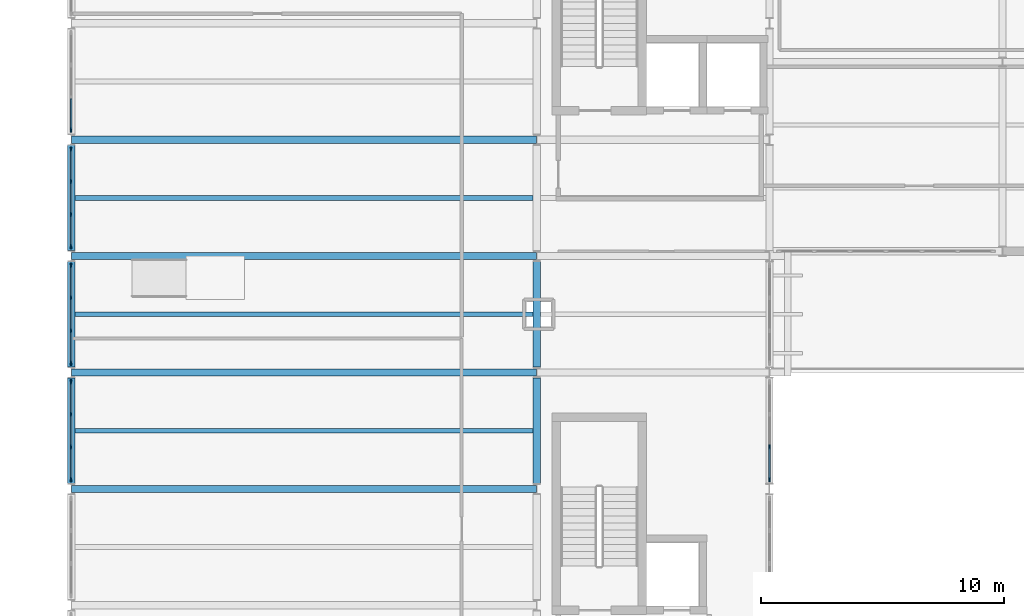
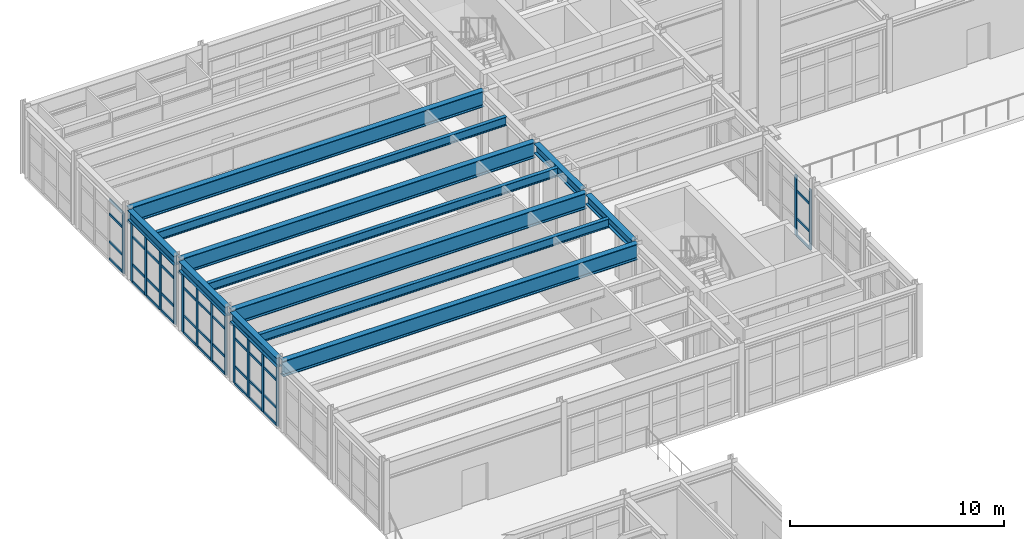
# One storey, part 18 of 47: 58 members, 12 beams, 5 elements without a shape of their own.
"""IFC4 building model written with IfcOpenShell, lengths in metres."""

from ifc_helpers import new_model, si_unit, direction, frame, origin, origin_2d, place, context, subcontext, project, spatial, rectangle, i_section, extrude, material, layer, layer_set, material_profile, profile_set, type_object, element, aggregate, save


model = new_model("IFC4")

# Units and contexts
model_context = context("Model", 3, precision=1e-05, world=origin(), true_north=direction((0.0, 1.0)))
body_context = subcontext(model_context, "Body", "Model", "MODEL_VIEW")
ifc_project = project(units=[si_unit("LENGTHUNIT", "METRE"), si_unit("AREAUNIT", "SQUARE_METRE"), si_unit("VOLUMEUNIT", "CUBIC_METRE"), si_unit("PLANEANGLEUNIT", "RADIAN"), si_unit("MASSUNIT", "GRAM", prefix="KILO")], contexts=[model_context])

# Site, building, storey
site_placement = place(None, origin())
site = spatial("IfcSite", under=ifc_project, at=site_placement, CompositionType="ELEMENT")
building_placement = place(site_placement, origin())
building = spatial("IfcBuilding", under=site, at=building_placement, Name="Nordkorset Police Headquarters", CompositionType="ELEMENT")
storey_placement = place(building_placement, frame((0.0, 0.0, 22.050048828125)))
storey = spatial("IfcBuildingStorey", under=building, at=storey_placement, Name="L05", CompositionType="ELEMENT", Elevation=22.050048828125)

# Beams
ifc_material_1 = material(Name="Steel S355J2", Category="steel")
ifc_material_profile_1 = material_profile(ifc_material_1, i_section(OverallWidth=0.199951171875, OverallDepth=0.5, WebThickness=0.01025390625, FlangeThickness=0.01611328125, FilletRadius=0.02099609375, at=origin_2d()), Name="IPE 500")
ifc_profile_set_1 = profile_set([ifc_material_profile_1], Name="Steel S355J2")
beam_type_1 = type_object("IfcBeamType", Name="Beam_IPE_500", PredefinedType="BEAM", material=ifc_profile_set_1)
for number, where, z_axis, x_axis, name in (
    (1, (0.14990234375, 95.199951171875, 3.75), (1.0, 0.0, 0.0), (0.0, 1.0, 0.0), "Composite Floor Beam V1 L05 0-2-1"),
    (2, (0.14990234375, 100.0, 3.75), (1.0, 0.0, 0.0), (0.0, 1.0, 0.0), "Composite Floor Beam V1 L05 0-3-1"),
    (3, (0.14990234375, 104.800048828125, 3.75), (1.0, 0.0, 0.0), (0.0, 1.0, 0.0), "Composite Floor Beam V1 L05 0-4-1"),
):
    element("IfcBeam", number, at=place(storey_placement, frame(where, z_axis=z_axis, x_axis=x_axis)), inside=storey, type_object=beam_type_1, Name=name, PredefinedType="BEAM", context=body_context, shape_type="SweptSolid", body=[
        extrude(i_section(OverallWidth=0.199951171875, OverallDepth=0.5, WebThickness=0.01025390625, FlangeThickness=0.01611328125, FilletRadius=0.02099609375, at=origin_2d()), origin(), (0.0, 0.0, 1.0), 18.900146484375),
    ])

# Curtain wall, members
ifc_material_2 = material(Name="Aluminium alloy AW-6060", Category="aluminium")
ifc_layer = layer(ifc_material_2, 0.179931640625, Name="Aluminium alloy AW-6060")
ifc_layer_set = layer_set([ifc_layer], Name="Aluminium alloy AW-6060")
curtain_wall_type = type_object("IfcCurtainWallType", Name="CW_Unit_408x344", PredefinedType="USERDEFINED", material=ifc_layer_set)
curtain_wall_1_placement = place(storey_placement, origin())
curtain_wall_1 = element("IfcCurtainWall", 4, at=curtain_wall_1_placement, inside=storey, type_object=curtain_wall_type, Name="Unitised Curtain Wall L05 V1W-2", ObjectType="UNITISED CURTAIN WALL", PredefinedType="USERDEFINED")
ifc_material_3 = material(Name="Aluminium alloy AW-6060", Category="aluminium")
ifc_material_profile_2 = material_profile(ifc_material_3, rectangle(XDim=0.06494140625, YDim=0.179931640625, at=origin_2d()), Name="ALU MULL 65x180")
ifc_profile_set_2 = profile_set([ifc_material_profile_2], Name="Aluminium alloy AW-6060")
member_type_1 = type_object("IfcMemberType", Name="CW_Mullion_65x180", PredefinedType="MULLION", material=ifc_profile_set_2)
member_1_placement = place(storey_placement, frame((0.0, 93.1923828125, 0.0), z_axis=(0.0, 0.0, 1.0), x_axis=(-1.0, 0.0, 0.0)))
member_1 = element("IfcMember", 5, at=member_1_placement, type_object=member_type_1, Name="CW-29 mullion 1", PredefinedType="MULLION", context=body_context, shape_type="SweptSolid", body=[
    extrude(rectangle(XDim=0.06494140625, YDim=0.179931640625, at=origin_2d()), origin(), (0.0, 0.0, 1.0), 3.43994140625),
])
member_2_placement = place(storey_placement, frame((0.0, 94.52001953125, 0.0), z_axis=(0.0, 0.0, 1.0), x_axis=(-1.0, 0.0, 0.0)))
member_2 = element("IfcMember", 6, at=member_2_placement, type_object=member_type_1, Name="CW-29 mullion 2", PredefinedType="MULLION", context=body_context, shape_type="SweptSolid", body=[
    extrude(rectangle(XDim=0.06494140625, YDim=0.179931640625, at=origin_2d()), origin(), (0.0, 0.0, 1.0), 3.43994140625),
])
member_3_placement = place(storey_placement, frame((0.0, 95.8798828125, 0.0), z_axis=(0.0, 0.0, 1.0), x_axis=(-1.0, 0.0, 0.0)))
member_3 = element("IfcMember", 7, at=member_3_placement, type_object=member_type_1, Name="CW-29 mullion 3", PredefinedType="MULLION", context=body_context, shape_type="SweptSolid", body=[
    extrude(rectangle(XDim=0.06494140625, YDim=0.179931640625, at=origin_2d()), origin(), (0.0, 0.0, 1.0), 3.43994140625),
])
member_4_placement = place(storey_placement, frame((0.0, 97.20751953125, 0.0), z_axis=(0.0, 0.0, 1.0), x_axis=(-1.0, 0.0, 0.0)))
member_4 = element("IfcMember", 8, at=member_4_placement, type_object=member_type_1, Name="CW-29 mullion 4", PredefinedType="MULLION", context=body_context, shape_type="SweptSolid", body=[
    extrude(rectangle(XDim=0.06494140625, YDim=0.179931640625, at=origin_2d()), origin(), (0.0, 0.0, 1.0), 3.43994140625),
])

curtain_wall_2_placement = place(storey_placement, origin())
curtain_wall_2 = element("IfcCurtainWall", 9, at=curtain_wall_2_placement, inside=storey, type_object=curtain_wall_type, Name="Unitised Curtain Wall L05 V1W-3", ObjectType="UNITISED CURTAIN WALL", PredefinedType="USERDEFINED")
member_5_placement = place(storey_placement, frame((0.0, 97.992431640625, 0.0), z_axis=(0.0, 0.0, 1.0), x_axis=(-1.0, 0.0, 0.0)))
member_5 = element("IfcMember", 10, at=member_5_placement, type_object=member_type_1, Name="CW-29 mullion 1", PredefinedType="MULLION", context=body_context, shape_type="SweptSolid", body=[
    extrude(rectangle(XDim=0.06494140625, YDim=0.179931640625, at=origin_2d()), origin(), (0.0, 0.0, 1.0), 3.43994140625),
])
member_6_placement = place(storey_placement, frame((0.0, 99.320068359375, 0.0), z_axis=(0.0, 0.0, 1.0), x_axis=(-1.0, 0.0, 0.0)))
member_6 = element("IfcMember", 11, at=member_6_placement, type_object=member_type_1, Name="CW-29 mullion 2", PredefinedType="MULLION", context=body_context, shape_type="SweptSolid", body=[
    extrude(rectangle(XDim=0.06494140625, YDim=0.179931640625, at=origin_2d()), origin(), (0.0, 0.0, 1.0), 3.43994140625),
])
member_7_placement = place(storey_placement, frame((0.0, 100.679931640625, 0.0), z_axis=(0.0, 0.0, 1.0), x_axis=(-1.0, 0.0, 0.0)))
member_7 = element("IfcMember", 12, at=member_7_placement, type_object=member_type_1, Name="CW-29 mullion 3", PredefinedType="MULLION", context=body_context, shape_type="SweptSolid", body=[
    extrude(rectangle(XDim=0.06494140625, YDim=0.179931640625, at=origin_2d()), origin(), (0.0, 0.0, 1.0), 3.43994140625),
])
member_8_placement = place(storey_placement, frame((0.0, 102.007568359375, 0.0), z_axis=(0.0, 0.0, 1.0), x_axis=(-1.0, 0.0, 0.0)))
member_8 = element("IfcMember", 13, at=member_8_placement, type_object=member_type_1, Name="CW-29 mullion 4", PredefinedType="MULLION", context=body_context, shape_type="SweptSolid", body=[
    extrude(rectangle(XDim=0.06494140625, YDim=0.179931640625, at=origin_2d()), origin(), (0.0, 0.0, 1.0), 3.43994140625),
])

curtain_wall_3_placement = place(storey_placement, origin())
curtain_wall_3 = element("IfcCurtainWall", 14, at=curtain_wall_3_placement, inside=storey, type_object=curtain_wall_type, Name="Unitised Curtain Wall L05 V1W-4", ObjectType="UNITISED CURTAIN WALL", PredefinedType="USERDEFINED")
member_9_placement = place(storey_placement, frame((0.0, 102.79248046875, 0.0), z_axis=(0.0, 0.0, 1.0), x_axis=(-1.0, 0.0, 0.0)))
member_9 = element("IfcMember", 15, at=member_9_placement, type_object=member_type_1, Name="CW-29 mullion 1", PredefinedType="MULLION", context=body_context, shape_type="SweptSolid", body=[
    extrude(rectangle(XDim=0.06494140625, YDim=0.179931640625, at=origin_2d()), origin(), (0.0, 0.0, 1.0), 3.43994140625),
])
member_10_placement = place(storey_placement, frame((0.0, 104.1201171875, 0.0), z_axis=(0.0, 0.0, 1.0), x_axis=(-1.0, 0.0, 0.0)))
member_10 = element("IfcMember", 16, at=member_10_placement, type_object=member_type_1, Name="CW-29 mullion 2", PredefinedType="MULLION", context=body_context, shape_type="SweptSolid", body=[
    extrude(rectangle(XDim=0.06494140625, YDim=0.179931640625, at=origin_2d()), origin(), (0.0, 0.0, 1.0), 3.43994140625),
])
member_11_placement = place(storey_placement, frame((0.0, 105.47998046875, 0.0), z_axis=(0.0, 0.0, 1.0), x_axis=(-1.0, 0.0, 0.0)))
member_11 = element("IfcMember", 17, at=member_11_placement, type_object=member_type_1, Name="CW-29 mullion 3", PredefinedType="MULLION", context=body_context, shape_type="SweptSolid", body=[
    extrude(rectangle(XDim=0.06494140625, YDim=0.179931640625, at=origin_2d()), origin(), (0.0, 0.0, 1.0), 3.43994140625),
])
member_12_placement = place(storey_placement, frame((0.0, 106.8076171875, 0.0), z_axis=(0.0, 0.0, 1.0), x_axis=(-1.0, 0.0, 0.0)))
member_12 = element("IfcMember", 18, at=member_12_placement, type_object=member_type_1, Name="CW-29 mullion 4", PredefinedType="MULLION", context=body_context, shape_type="SweptSolid", body=[
    extrude(rectangle(XDim=0.06494140625, YDim=0.179931640625, at=origin_2d()), origin(), (0.0, 0.0, 1.0), 3.43994140625),
])

# Curtain wall, member
curtain_wall_4_placement = place(storey_placement, origin())
curtain_wall_4 = element("IfcCurtainWall", 19, at=curtain_wall_4_placement, inside=storey, type_object=curtain_wall_type, Name="Unitised Curtain Wall L05 V1W-5", ObjectType="UNITISED CURTAIN WALL", PredefinedType="USERDEFINED")
member_13_placement = place(storey_placement, frame((0.0, 107.592529296875, 0.0), z_axis=(0.0, 0.0, 1.0), x_axis=(-1.0, 0.0, 0.0)))
member_13 = element("IfcMember", 20, at=member_13_placement, type_object=member_type_1, Name="CW-29 mullion 1", PredefinedType="MULLION", context=body_context, shape_type="SweptSolid", body=[
    extrude(rectangle(XDim=0.06494140625, YDim=0.179931640625, at=origin_2d()), origin(), (0.0, 0.0, 1.0), 3.43994140625),
])

# Curtain wall, members
curtain_wall_5_placement = place(storey_placement, origin())
curtain_wall_5 = element("IfcCurtainWall", 21, at=curtain_wall_5_placement, inside=storey, type_object=curtain_wall_type, Name="Unitised Curtain Wall L05 V1E-2", ObjectType="UNITISED CURTAIN WALL", PredefinedType="USERDEFINED")
member_14_placement = place(storey_placement, frame((28.800048828125, 93.1923828125, 0.0), z_axis=(0.0, 0.0, 1.0), x_axis=(-1.0, 0.0, 0.0)))
member_14 = element("IfcMember", 22, at=member_14_placement, type_object=member_type_1, Name="CW-29 mullion 1", PredefinedType="MULLION", context=body_context, shape_type="SweptSolid", body=[
    extrude(rectangle(XDim=0.06494140625, YDim=0.179931640625, at=origin_2d()), origin(), (0.0, 0.0, 1.0), 3.43994140625),
])
member_15_placement = place(storey_placement, frame((28.800048828125, 94.52001953125, 0.0), z_axis=(0.0, 0.0, 1.0), x_axis=(-1.0, 0.0, 0.0)))
member_15 = element("IfcMember", 23, at=member_15_placement, type_object=member_type_1, Name="CW-29 mullion 2", PredefinedType="MULLION", context=body_context, shape_type="SweptSolid", body=[
    extrude(rectangle(XDim=0.06494140625, YDim=0.179931640625, at=origin_2d()), origin(), (0.0, 0.0, 1.0), 3.43994140625),
])

# Member
ifc_material_4 = material(Name="Aluminium alloy AW-6060", Category="aluminium")
ifc_material_profile_3 = material_profile(ifc_material_4, rectangle(XDim=0.06494140625, YDim=0.139892578125, at=origin_2d()), Name="ALU TRAN 65x140")
ifc_profile_set_3 = profile_set([ifc_material_profile_3], Name="Aluminium alloy AW-6060")
member_type_2 = type_object("IfcMemberType", Name="CW_Transom_65x140", PredefinedType="USERDEFINED", material=ifc_profile_set_3)
member_16_placement = place(storey_placement, frame((0.0, 93.22509765625, 0.032470703125), z_axis=(0.0, 1.0, 0.0), x_axis=(-1.0, 0.0, 0.0)))
member_16 = element("IfcMember", 24, at=member_16_placement, type_object=member_type_2, Name="CW-29 transom 1.1", ObjectType="TRANSOM", PredefinedType="USERDEFINED", context=body_context, shape_type="SweptSolid", body=[
    extrude(rectangle(XDim=0.06494140625, YDim=0.139892578125, at=origin_2d()), origin(), (0.0, 0.0, 1.0), 1.262451171875),
])

member_17_placement = place(storey_placement, frame((0.0, 93.22509765625, 1.0), z_axis=(0.0, 1.0, 0.0), x_axis=(-1.0, 0.0, 0.0)))
member_17 = element("IfcMember", 25, at=member_17_placement, type_object=member_type_2, Name="CW-29 transom 1.2", ObjectType="TRANSOM", PredefinedType="USERDEFINED", context=body_context, shape_type="SweptSolid", body=[
    extrude(rectangle(XDim=0.06494140625, YDim=0.139892578125, at=origin_2d()), origin(), (0.0, 0.0, 1.0), 1.262451171875),
])

member_18_placement = place(storey_placement, frame((0.0, 93.22509765625, 2.58984375), z_axis=(0.0, 1.0, 0.0), x_axis=(-1.0, 0.0, 0.0)))
member_18 = element("IfcMember", 26, at=member_18_placement, type_object=member_type_2, Name="CW-29 transom 1.3", ObjectType="TRANSOM", PredefinedType="USERDEFINED", context=body_context, shape_type="SweptSolid", body=[
    extrude(rectangle(XDim=0.06494140625, YDim=0.139892578125, at=origin_2d()), origin(), (0.0, 0.0, 1.0), 1.262451171875),
])

member_19_placement = place(storey_placement, frame((0.0, 93.22509765625, 3.407470703125), z_axis=(0.0, 1.0, 0.0), x_axis=(-1.0, 0.0, 0.0)))
member_19 = element("IfcMember", 27, at=member_19_placement, type_object=member_type_2, Name="CW-29 transom 1.4", ObjectType="TRANSOM", PredefinedType="USERDEFINED", context=body_context, shape_type="SweptSolid", body=[
    extrude(rectangle(XDim=0.06494140625, YDim=0.139892578125, at=origin_2d()), origin(), (0.0, 0.0, 1.0), 1.262451171875),
])

member_20_placement = place(storey_placement, frame((0.0, 94.552490234375, 0.032470703125), z_axis=(0.0, 1.0, 0.0), x_axis=(-1.0, 0.0, 0.0)))
member_20 = element("IfcMember", 28, at=member_20_placement, type_object=member_type_2, Name="CW-29 transom 2.1", ObjectType="TRANSOM", PredefinedType="USERDEFINED", context=body_context, shape_type="SweptSolid", body=[
    extrude(rectangle(XDim=0.06494140625, YDim=0.139892578125, at=origin_2d()), origin(), (0.0, 0.0, 1.0), 1.294921875),
])

member_21_placement = place(storey_placement, frame((0.0, 94.552490234375, 1.0), z_axis=(0.0, 1.0, 0.0), x_axis=(-1.0, 0.0, 0.0)))
member_21 = element("IfcMember", 29, at=member_21_placement, type_object=member_type_2, Name="CW-29 transom 2.2", ObjectType="TRANSOM", PredefinedType="USERDEFINED", context=body_context, shape_type="SweptSolid", body=[
    extrude(rectangle(XDim=0.06494140625, YDim=0.139892578125, at=origin_2d()), origin(), (0.0, 0.0, 1.0), 1.294921875),
])

member_22_placement = place(storey_placement, frame((0.0, 94.552490234375, 2.58984375), z_axis=(0.0, 1.0, 0.0), x_axis=(-1.0, 0.0, 0.0)))
member_22 = element("IfcMember", 30, at=member_22_placement, type_object=member_type_2, Name="CW-29 transom 2.3", ObjectType="TRANSOM", PredefinedType="USERDEFINED", context=body_context, shape_type="SweptSolid", body=[
    extrude(rectangle(XDim=0.06494140625, YDim=0.139892578125, at=origin_2d()), origin(), (0.0, 0.0, 1.0), 1.294921875),
])

member_23_placement = place(storey_placement, frame((0.0, 94.552490234375, 3.407470703125), z_axis=(0.0, 1.0, 0.0), x_axis=(-1.0, 0.0, 0.0)))
member_23 = element("IfcMember", 31, at=member_23_placement, type_object=member_type_2, Name="CW-29 transom 2.4", ObjectType="TRANSOM", PredefinedType="USERDEFINED", context=body_context, shape_type="SweptSolid", body=[
    extrude(rectangle(XDim=0.06494140625, YDim=0.139892578125, at=origin_2d()), origin(), (0.0, 0.0, 1.0), 1.294921875),
])

member_24_placement = place(storey_placement, frame((0.0, 95.91259765625, 0.032470703125), z_axis=(0.0, 1.0, 0.0), x_axis=(-1.0, 0.0, 0.0)))
member_24 = element("IfcMember", 32, at=member_24_placement, type_object=member_type_2, Name="CW-29 transom 3.1", ObjectType="TRANSOM", PredefinedType="USERDEFINED", context=body_context, shape_type="SweptSolid", body=[
    extrude(rectangle(XDim=0.06494140625, YDim=0.139892578125, at=origin_2d()), origin(), (0.0, 0.0, 1.0), 1.262451171875),
])

member_25_placement = place(storey_placement, frame((0.0, 95.91259765625, 1.0), z_axis=(0.0, 1.0, 0.0), x_axis=(-1.0, 0.0, 0.0)))
member_25 = element("IfcMember", 33, at=member_25_placement, type_object=member_type_2, Name="CW-29 transom 3.2", ObjectType="TRANSOM", PredefinedType="USERDEFINED", context=body_context, shape_type="SweptSolid", body=[
    extrude(rectangle(XDim=0.06494140625, YDim=0.139892578125, at=origin_2d()), origin(), (0.0, 0.0, 1.0), 1.262451171875),
])

member_26_placement = place(storey_placement, frame((0.0, 95.91259765625, 2.58984375), z_axis=(0.0, 1.0, 0.0), x_axis=(-1.0, 0.0, 0.0)))
member_26 = element("IfcMember", 34, at=member_26_placement, type_object=member_type_2, Name="CW-29 transom 3.3", ObjectType="TRANSOM", PredefinedType="USERDEFINED", context=body_context, shape_type="SweptSolid", body=[
    extrude(rectangle(XDim=0.06494140625, YDim=0.139892578125, at=origin_2d()), origin(), (0.0, 0.0, 1.0), 1.262451171875),
])

member_27_placement = place(storey_placement, frame((0.0, 95.91259765625, 3.407470703125), z_axis=(0.0, 1.0, 0.0), x_axis=(-1.0, 0.0, 0.0)))
member_27 = element("IfcMember", 35, at=member_27_placement, type_object=member_type_2, Name="CW-29 transom 3.4", ObjectType="TRANSOM", PredefinedType="USERDEFINED", context=body_context, shape_type="SweptSolid", body=[
    extrude(rectangle(XDim=0.06494140625, YDim=0.139892578125, at=origin_2d()), origin(), (0.0, 0.0, 1.0), 1.262451171875),
])

aggregate(curtain_wall_1, [member_1, member_2, member_3, member_4, member_16, member_17, member_18, member_19, member_20, member_21, member_22, member_23, member_24, member_25, member_26, member_27])

member_28_placement = place(storey_placement, frame((0.0, 98.02490234375, 0.032470703125), z_axis=(0.0, 1.0, 0.0), x_axis=(-1.0, 0.0, 0.0)))
member_28 = element("IfcMember", 36, at=member_28_placement, type_object=member_type_2, Name="CW-29 transom 1.1", ObjectType="TRANSOM", PredefinedType="USERDEFINED", context=body_context, shape_type="SweptSolid", body=[
    extrude(rectangle(XDim=0.06494140625, YDim=0.139892578125, at=origin_2d()), origin(), (0.0, 0.0, 1.0), 1.2626953125),
])

member_29_placement = place(storey_placement, frame((0.0, 98.02490234375, 1.0), z_axis=(0.0, 1.0, 0.0), x_axis=(-1.0, 0.0, 0.0)))
member_29 = element("IfcMember", 37, at=member_29_placement, type_object=member_type_2, Name="CW-29 transom 1.2", ObjectType="TRANSOM", PredefinedType="USERDEFINED", context=body_context, shape_type="SweptSolid", body=[
    extrude(rectangle(XDim=0.06494140625, YDim=0.139892578125, at=origin_2d()), origin(), (0.0, 0.0, 1.0), 1.2626953125),
])

member_30_placement = place(storey_placement, frame((0.0, 98.02490234375, 2.58984375), z_axis=(0.0, 1.0, 0.0), x_axis=(-1.0, 0.0, 0.0)))
member_30 = element("IfcMember", 38, at=member_30_placement, type_object=member_type_2, Name="CW-29 transom 1.3", ObjectType="TRANSOM", PredefinedType="USERDEFINED", context=body_context, shape_type="SweptSolid", body=[
    extrude(rectangle(XDim=0.06494140625, YDim=0.139892578125, at=origin_2d()), origin(), (0.0, 0.0, 1.0), 1.2626953125),
])

member_31_placement = place(storey_placement, frame((0.0, 98.02490234375, 3.407470703125), z_axis=(0.0, 1.0, 0.0), x_axis=(-1.0, 0.0, 0.0)))
member_31 = element("IfcMember", 39, at=member_31_placement, type_object=member_type_2, Name="CW-29 transom 1.4", ObjectType="TRANSOM", PredefinedType="USERDEFINED", context=body_context, shape_type="SweptSolid", body=[
    extrude(rectangle(XDim=0.06494140625, YDim=0.139892578125, at=origin_2d()), origin(), (0.0, 0.0, 1.0), 1.2626953125),
])

member_32_placement = place(storey_placement, frame((0.0, 99.3525390625, 0.032470703125), z_axis=(0.0, 1.0, 0.0), x_axis=(-1.0, 0.0, 0.0)))
member_32 = element("IfcMember", 40, at=member_32_placement, type_object=member_type_2, Name="CW-29 transom 2.1", ObjectType="TRANSOM", PredefinedType="USERDEFINED", context=body_context, shape_type="SweptSolid", body=[
    extrude(rectangle(XDim=0.06494140625, YDim=0.139892578125, at=origin_2d()), origin(), (0.0, 0.0, 1.0), 1.294921875),
])

member_33_placement = place(storey_placement, frame((0.0, 99.3525390625, 1.0), z_axis=(0.0, 1.0, 0.0), x_axis=(-1.0, 0.0, 0.0)))
member_33 = element("IfcMember", 41, at=member_33_placement, type_object=member_type_2, Name="CW-29 transom 2.2", ObjectType="TRANSOM", PredefinedType="USERDEFINED", context=body_context, shape_type="SweptSolid", body=[
    extrude(rectangle(XDim=0.06494140625, YDim=0.139892578125, at=origin_2d()), origin(), (0.0, 0.0, 1.0), 1.294921875),
])

member_34_placement = place(storey_placement, frame((0.0, 99.3525390625, 2.58984375), z_axis=(0.0, 1.0, 0.0), x_axis=(-1.0, 0.0, 0.0)))
member_34 = element("IfcMember", 42, at=member_34_placement, type_object=member_type_2, Name="CW-29 transom 2.3", ObjectType="TRANSOM", PredefinedType="USERDEFINED", context=body_context, shape_type="SweptSolid", body=[
    extrude(rectangle(XDim=0.06494140625, YDim=0.139892578125, at=origin_2d()), origin(), (0.0, 0.0, 1.0), 1.294921875),
])

member_35_placement = place(storey_placement, frame((0.0, 99.3525390625, 3.407470703125), z_axis=(0.0, 1.0, 0.0), x_axis=(-1.0, 0.0, 0.0)))
member_35 = element("IfcMember", 43, at=member_35_placement, type_object=member_type_2, Name="CW-29 transom 2.4", ObjectType="TRANSOM", PredefinedType="USERDEFINED", context=body_context, shape_type="SweptSolid", body=[
    extrude(rectangle(XDim=0.06494140625, YDim=0.139892578125, at=origin_2d()), origin(), (0.0, 0.0, 1.0), 1.294921875),
])

member_36_placement = place(storey_placement, frame((0.0, 100.71240234375, 0.032470703125), z_axis=(0.0, 1.0, 0.0), x_axis=(-1.0, 0.0, 0.0)))
member_36 = element("IfcMember", 44, at=member_36_placement, type_object=member_type_2, Name="CW-29 transom 3.1", ObjectType="TRANSOM", PredefinedType="USERDEFINED", context=body_context, shape_type="SweptSolid", body=[
    extrude(rectangle(XDim=0.06494140625, YDim=0.139892578125, at=origin_2d()), origin(), (0.0, 0.0, 1.0), 1.2626953125),
])

member_37_placement = place(storey_placement, frame((0.0, 100.71240234375, 1.0), z_axis=(0.0, 1.0, 0.0), x_axis=(-1.0, 0.0, 0.0)))
member_37 = element("IfcMember", 45, at=member_37_placement, type_object=member_type_2, Name="CW-29 transom 3.2", ObjectType="TRANSOM", PredefinedType="USERDEFINED", context=body_context, shape_type="SweptSolid", body=[
    extrude(rectangle(XDim=0.06494140625, YDim=0.139892578125, at=origin_2d()), origin(), (0.0, 0.0, 1.0), 1.2626953125),
])

member_38_placement = place(storey_placement, frame((0.0, 100.71240234375, 2.58984375), z_axis=(0.0, 1.0, 0.0), x_axis=(-1.0, 0.0, 0.0)))
member_38 = element("IfcMember", 46, at=member_38_placement, type_object=member_type_2, Name="CW-29 transom 3.3", ObjectType="TRANSOM", PredefinedType="USERDEFINED", context=body_context, shape_type="SweptSolid", body=[
    extrude(rectangle(XDim=0.06494140625, YDim=0.139892578125, at=origin_2d()), origin(), (0.0, 0.0, 1.0), 1.2626953125),
])

member_39_placement = place(storey_placement, frame((0.0, 100.71240234375, 3.407470703125), z_axis=(0.0, 1.0, 0.0), x_axis=(-1.0, 0.0, 0.0)))
member_39 = element("IfcMember", 47, at=member_39_placement, type_object=member_type_2, Name="CW-29 transom 3.4", ObjectType="TRANSOM", PredefinedType="USERDEFINED", context=body_context, shape_type="SweptSolid", body=[
    extrude(rectangle(XDim=0.06494140625, YDim=0.139892578125, at=origin_2d()), origin(), (0.0, 0.0, 1.0), 1.2626953125),
])

aggregate(curtain_wall_2, [member_5, member_6, member_7, member_8, member_28, member_29, member_30, member_31, member_32, member_33, member_34, member_35, member_36, member_37, member_38, member_39])

member_40_placement = place(storey_placement, frame((0.0, 102.824951171875, 0.032470703125), z_axis=(0.0, 1.0, 0.0), x_axis=(-1.0, 0.0, 0.0)))
member_40 = element("IfcMember", 48, at=member_40_placement, type_object=member_type_2, Name="CW-29 transom 1.1", ObjectType="TRANSOM", PredefinedType="USERDEFINED", context=body_context, shape_type="SweptSolid", body=[
    extrude(rectangle(XDim=0.06494140625, YDim=0.139892578125, at=origin_2d()), origin(), (0.0, 0.0, 1.0), 1.262451171875),
])

member_41_placement = place(storey_placement, frame((0.0, 102.824951171875, 1.0), z_axis=(0.0, 1.0, 0.0), x_axis=(-1.0, 0.0, 0.0)))
member_41 = element("IfcMember", 49, at=member_41_placement, type_object=member_type_2, Name="CW-29 transom 1.2", ObjectType="TRANSOM", PredefinedType="USERDEFINED", context=body_context, shape_type="SweptSolid", body=[
    extrude(rectangle(XDim=0.06494140625, YDim=0.139892578125, at=origin_2d()), origin(), (0.0, 0.0, 1.0), 1.262451171875),
])

member_42_placement = place(storey_placement, frame((0.0, 102.824951171875, 2.58984375), z_axis=(0.0, 1.0, 0.0), x_axis=(-1.0, 0.0, 0.0)))
member_42 = element("IfcMember", 50, at=member_42_placement, type_object=member_type_2, Name="CW-29 transom 1.3", ObjectType="TRANSOM", PredefinedType="USERDEFINED", context=body_context, shape_type="SweptSolid", body=[
    extrude(rectangle(XDim=0.06494140625, YDim=0.139892578125, at=origin_2d()), origin(), (0.0, 0.0, 1.0), 1.262451171875),
])

member_43_placement = place(storey_placement, frame((0.0, 102.824951171875, 3.407470703125), z_axis=(0.0, 1.0, 0.0), x_axis=(-1.0, 0.0, 0.0)))
member_43 = element("IfcMember", 51, at=member_43_placement, type_object=member_type_2, Name="CW-29 transom 1.4", ObjectType="TRANSOM", PredefinedType="USERDEFINED", context=body_context, shape_type="SweptSolid", body=[
    extrude(rectangle(XDim=0.06494140625, YDim=0.139892578125, at=origin_2d()), origin(), (0.0, 0.0, 1.0), 1.262451171875),
])

member_44_placement = place(storey_placement, frame((0.0, 104.152587890625, 0.032470703125), z_axis=(0.0, 1.0, 0.0), x_axis=(-1.0, 0.0, 0.0)))
member_44 = element("IfcMember", 52, at=member_44_placement, type_object=member_type_2, Name="CW-29 transom 2.1", ObjectType="TRANSOM", PredefinedType="USERDEFINED", context=body_context, shape_type="SweptSolid", body=[
    extrude(rectangle(XDim=0.06494140625, YDim=0.139892578125, at=origin_2d()), origin(), (0.0, 0.0, 1.0), 1.294921875),
])

member_45_placement = place(storey_placement, frame((0.0, 104.152587890625, 1.0), z_axis=(0.0, 1.0, 0.0), x_axis=(-1.0, 0.0, 0.0)))
member_45 = element("IfcMember", 53, at=member_45_placement, type_object=member_type_2, Name="CW-29 transom 2.2", ObjectType="TRANSOM", PredefinedType="USERDEFINED", context=body_context, shape_type="SweptSolid", body=[
    extrude(rectangle(XDim=0.06494140625, YDim=0.139892578125, at=origin_2d()), origin(), (0.0, 0.0, 1.0), 1.294921875),
])

member_46_placement = place(storey_placement, frame((0.0, 104.152587890625, 2.58984375), z_axis=(0.0, 1.0, 0.0), x_axis=(-1.0, 0.0, 0.0)))
member_46 = element("IfcMember", 54, at=member_46_placement, type_object=member_type_2, Name="CW-29 transom 2.3", ObjectType="TRANSOM", PredefinedType="USERDEFINED", context=body_context, shape_type="SweptSolid", body=[
    extrude(rectangle(XDim=0.06494140625, YDim=0.139892578125, at=origin_2d()), origin(), (0.0, 0.0, 1.0), 1.294921875),
])

member_47_placement = place(storey_placement, frame((0.0, 104.152587890625, 3.407470703125), z_axis=(0.0, 1.0, 0.0), x_axis=(-1.0, 0.0, 0.0)))
member_47 = element("IfcMember", 55, at=member_47_placement, type_object=member_type_2, Name="CW-29 transom 2.4", ObjectType="TRANSOM", PredefinedType="USERDEFINED", context=body_context, shape_type="SweptSolid", body=[
    extrude(rectangle(XDim=0.06494140625, YDim=0.139892578125, at=origin_2d()), origin(), (0.0, 0.0, 1.0), 1.294921875),
])

member_48_placement = place(storey_placement, frame((0.0, 105.512451171875, 0.032470703125), z_axis=(0.0, 1.0, 0.0), x_axis=(-1.0, 0.0, 0.0)))
member_48 = element("IfcMember", 56, at=member_48_placement, type_object=member_type_2, Name="CW-29 transom 3.1", ObjectType="TRANSOM", PredefinedType="USERDEFINED", context=body_context, shape_type="SweptSolid", body=[
    extrude(rectangle(XDim=0.06494140625, YDim=0.139892578125, at=origin_2d()), origin(), (0.0, 0.0, 1.0), 1.262451171875),
])

member_49_placement = place(storey_placement, frame((0.0, 105.512451171875, 1.0), z_axis=(0.0, 1.0, 0.0), x_axis=(-1.0, 0.0, 0.0)))
member_49 = element("IfcMember", 57, at=member_49_placement, type_object=member_type_2, Name="CW-29 transom 3.2", ObjectType="TRANSOM", PredefinedType="USERDEFINED", context=body_context, shape_type="SweptSolid", body=[
    extrude(rectangle(XDim=0.06494140625, YDim=0.139892578125, at=origin_2d()), origin(), (0.0, 0.0, 1.0), 1.262451171875),
])

member_50_placement = place(storey_placement, frame((0.0, 105.512451171875, 2.58984375), z_axis=(0.0, 1.0, 0.0), x_axis=(-1.0, 0.0, 0.0)))
member_50 = element("IfcMember", 58, at=member_50_placement, type_object=member_type_2, Name="CW-29 transom 3.3", ObjectType="TRANSOM", PredefinedType="USERDEFINED", context=body_context, shape_type="SweptSolid", body=[
    extrude(rectangle(XDim=0.06494140625, YDim=0.139892578125, at=origin_2d()), origin(), (0.0, 0.0, 1.0), 1.262451171875),
])

member_51_placement = place(storey_placement, frame((0.0, 105.512451171875, 3.407470703125), z_axis=(0.0, 1.0, 0.0), x_axis=(-1.0, 0.0, 0.0)))
member_51 = element("IfcMember", 59, at=member_51_placement, type_object=member_type_2, Name="CW-29 transom 3.4", ObjectType="TRANSOM", PredefinedType="USERDEFINED", context=body_context, shape_type="SweptSolid", body=[
    extrude(rectangle(XDim=0.06494140625, YDim=0.139892578125, at=origin_2d()), origin(), (0.0, 0.0, 1.0), 1.262451171875),
])

aggregate(curtain_wall_3, [member_9, member_10, member_11, member_12, member_40, member_41, member_42, member_43, member_44, member_45, member_46, member_47, member_48, member_49, member_50, member_51])

member_52_placement = place(storey_placement, frame((0.0, 107.625, 0.032470703125), z_axis=(0.0, 1.0, 0.0), x_axis=(-1.0, 0.0, 0.0)))
member_52 = element("IfcMember", 60, at=member_52_placement, type_object=member_type_2, Name="CW-29 transom 1.1", ObjectType="TRANSOM", PredefinedType="USERDEFINED", context=body_context, shape_type="SweptSolid", body=[
    extrude(rectangle(XDim=0.06494140625, YDim=0.139892578125, at=origin_2d()), origin(), (0.0, 0.0, 1.0), 1.262451171875),
])

member_53_placement = place(storey_placement, frame((0.0, 107.625, 1.0), z_axis=(0.0, 1.0, 0.0), x_axis=(-1.0, 0.0, 0.0)))
member_53 = element("IfcMember", 61, at=member_53_placement, type_object=member_type_2, Name="CW-29 transom 1.2", ObjectType="TRANSOM", PredefinedType="USERDEFINED", context=body_context, shape_type="SweptSolid", body=[
    extrude(rectangle(XDim=0.06494140625, YDim=0.139892578125, at=origin_2d()), origin(), (0.0, 0.0, 1.0), 1.262451171875),
])

member_54_placement = place(storey_placement, frame((0.0, 107.625, 2.58984375), z_axis=(0.0, 1.0, 0.0), x_axis=(-1.0, 0.0, 0.0)))
member_54 = element("IfcMember", 62, at=member_54_placement, type_object=member_type_2, Name="CW-29 transom 1.3", ObjectType="TRANSOM", PredefinedType="USERDEFINED", context=body_context, shape_type="SweptSolid", body=[
    extrude(rectangle(XDim=0.06494140625, YDim=0.139892578125, at=origin_2d()), origin(), (0.0, 0.0, 1.0), 1.262451171875),
])

member_55_placement = place(storey_placement, frame((0.0, 107.625, 3.407470703125), z_axis=(0.0, 1.0, 0.0), x_axis=(-1.0, 0.0, 0.0)))
member_55 = element("IfcMember", 63, at=member_55_placement, type_object=member_type_2, Name="CW-29 transom 1.4", ObjectType="TRANSOM", PredefinedType="USERDEFINED", context=body_context, shape_type="SweptSolid", body=[
    extrude(rectangle(XDim=0.06494140625, YDim=0.139892578125, at=origin_2d()), origin(), (0.0, 0.0, 1.0), 1.262451171875),
])

aggregate(curtain_wall_4, [member_13, member_52, member_53, member_54, member_55])

member_56_placement = place(storey_placement, frame((28.800048828125, 93.22509765625, 0.032470703125), z_axis=(0.0, 1.0, 0.0), x_axis=(-1.0, 0.0, 0.0)))
member_56 = element("IfcMember", 64, at=member_56_placement, type_object=member_type_2, Name="CW-29 transom 1.1", ObjectType="TRANSOM", PredefinedType="USERDEFINED", context=body_context, shape_type="SweptSolid", body=[
    extrude(rectangle(XDim=0.06494140625, YDim=0.139892578125, at=origin_2d()), origin(), (0.0, 0.0, 1.0), 1.262451171875),
])

member_57_placement = place(storey_placement, frame((28.800048828125, 93.22509765625, 1.0), z_axis=(0.0, 1.0, 0.0), x_axis=(-1.0, 0.0, 0.0)))
member_57 = element("IfcMember", 65, at=member_57_placement, type_object=member_type_2, Name="CW-29 transom 1.2", ObjectType="TRANSOM", PredefinedType="USERDEFINED", context=body_context, shape_type="SweptSolid", body=[
    extrude(rectangle(XDim=0.06494140625, YDim=0.139892578125, at=origin_2d()), origin(), (0.0, 0.0, 1.0), 1.262451171875),
])

member_58_placement = place(storey_placement, frame((28.800048828125, 93.22509765625, 2.58984375), z_axis=(0.0, 1.0, 0.0), x_axis=(-1.0, 0.0, 0.0)))
member_58 = element("IfcMember", 66, at=member_58_placement, type_object=member_type_2, Name="CW-29 transom 1.3", ObjectType="TRANSOM", PredefinedType="USERDEFINED", context=body_context, shape_type="SweptSolid", body=[
    extrude(rectangle(XDim=0.06494140625, YDim=0.139892578125, at=origin_2d()), origin(), (0.0, 0.0, 1.0), 1.262451171875),
])

aggregate(curtain_wall_5, [member_14, member_15, member_56, member_57, member_58])

# Beams
ifc_material_5 = material(Name="Steel S355J2", Category="steel")
ifc_material_profile_4 = material_profile(ifc_material_5, i_section(OverallWidth=0.300048828125, OverallDepth=0.5400390625, WebThickness=0.012451171875, FlangeThickness=0.02392578125, FilletRadius=0.027099609375, at=origin_2d()), Name="HEA 550")
ifc_profile_set_4 = profile_set([ifc_material_profile_4], Name="Steel S355J2")
beam_type_2 = type_object("IfcBeamType", Name="Girder_HEA_550", PredefinedType="USERDEFINED", material=ifc_profile_set_4)
for number, where, z_axis, x_axis, name in (
    (67, (0.0, 93.02490234375, 3.72998046875), (0.0, 1.0, 0.0), (-1.0, 0.0, 0.0), "Girder V1 L05 GY-0-2"),
    (68, (0.0, 97.824951171875, 3.72998046875), (0.0, 1.0, 0.0), (-1.0, 0.0, 0.0), "Girder V1 L05 GY-0-3"),
    (69, (0.0, 102.625, 3.72998046875), (0.0, 1.0, 0.0), (-1.0, 0.0, 0.0), "Girder V1 L05 GY-0-4"),
    (70, (19.199951171875, 93.02490234375, 3.72998046875), (0.0, 1.0, 0.0), (-1.0, 0.0, 0.0), "Girder V1 L05 GY-1-2"),
    (71, (19.199951171875, 97.824951171875, 3.72998046875), (0.0, 1.0, 0.0), (-1.0, 0.0, 0.0), "Girder V1 L05 GY-1-3"),
):
    element("IfcBeam", number, at=place(storey_placement, frame(where, z_axis=z_axis, x_axis=x_axis)), inside=storey, type_object=beam_type_2, Name=name, ObjectType="GIRDER", PredefinedType="USERDEFINED", context=body_context, shape_type="SweptSolid", body=[
        extrude(i_section(OverallWidth=0.300048828125, OverallDepth=0.5400390625, WebThickness=0.012451171875, FlangeThickness=0.02392578125, FilletRadius=0.027099609375, at=origin_2d()), origin(), (0.0, 0.0, 1.0), 4.35009765625),
    ])
ifc_material_6 = material(Name="Steel S355J2", Category="steel")
ifc_material_profile_5 = material_profile(ifc_material_6, i_section(OverallWidth=0.300048828125, OverallDepth=0.89990234375, WebThickness=0.0185546875, FlangeThickness=0.034912109375, FilletRadius=0.030029296875, at=origin_2d()), Name="HEB 900")
ifc_profile_set_5 = profile_set([ifc_material_profile_5], Name="Steel S355J2")
beam_type_3 = type_object("IfcBeamType", Name="Girder_HEB_900", PredefinedType="USERDEFINED", material=ifc_profile_set_5)
for number, where, z_axis, x_axis, name in (
    (72, (0.007080078125, 92.800048828125, 3.550048828125), (1.0, 0.0, 0.0), (0.0, 1.0, 0.0), "Girder V1 L05 GX-2-0"),
    (73, (0.007080078125, 97.60009765625, 3.550048828125), (1.0, 0.0, 0.0), (0.0, 1.0, 0.0), "Girder V1 L05 GX-3-0"),
    (74, (0.007080078125, 102.39990234375, 3.550048828125), (1.0, 0.0, 0.0), (0.0, 1.0, 0.0), "Girder V1 L05 GX-4-0"),
    (75, (0.007080078125, 107.199951171875, 3.550048828125), (1.0, 0.0, 0.0), (0.0, 1.0, 0.0), "Girder V1 L05 GX-5-0"),
):
    element("IfcBeam", number, at=place(storey_placement, frame(where, z_axis=z_axis, x_axis=x_axis)), inside=storey, type_object=beam_type_3, Name=name, ObjectType="GIRDER", PredefinedType="USERDEFINED", context=body_context, shape_type="SweptSolid", body=[
        extrude(i_section(OverallWidth=0.300048828125, OverallDepth=0.89990234375, WebThickness=0.0185546875, FlangeThickness=0.034912109375, FilletRadius=0.030029296875, at=origin_2d()), origin(), (0.0, 0.0, 1.0), 19.18603515625),
    ])

save(model, "model.ifc")
